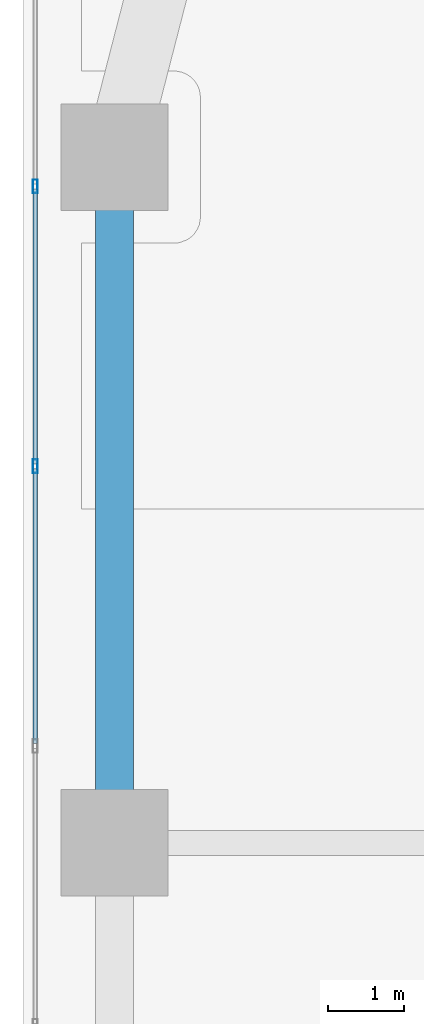
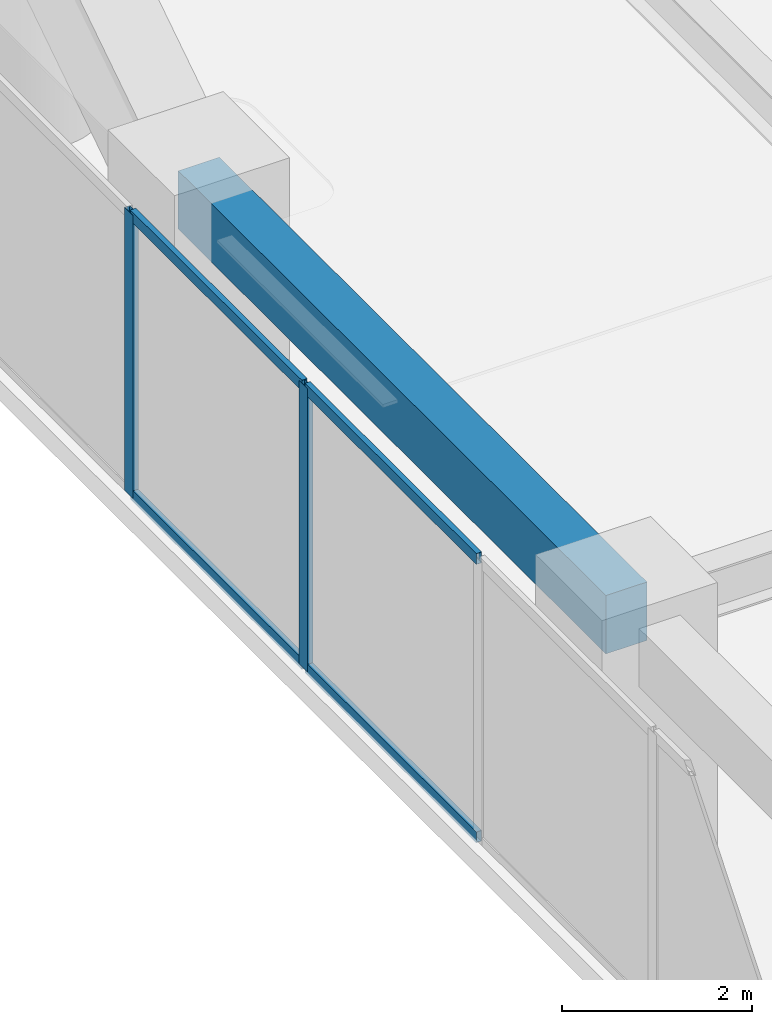
# One storey, part 9 of 24: 6 members, 1 beam, 1 element without a shape of its own.
"""IFC4 building model written with IfcOpenShell, lengths in metres."""

from ifc_helpers import new_model, si_unit, direction, frame, origin, origin_2d, place, context, subcontext, project, spatial, rectangle, hollow_rectangle, extrude, material, layer, layer_set, material_profile, profile_set, type_object, element, aggregate, save


model = new_model("IFC4")

# Units and contexts
model_context = context("Model", 3, precision=1e-05, world=origin(), true_north=direction((0.0, 1.0)))
body_context = subcontext(model_context, "Body", "Model", "MODEL_VIEW")
ifc_project = project(units=[si_unit("LENGTHUNIT", "METRE"), si_unit("AREAUNIT", "SQUARE_METRE"), si_unit("VOLUMEUNIT", "CUBIC_METRE"), si_unit("PLANEANGLEUNIT", "RADIAN"), si_unit("MASSUNIT", "GRAM", prefix="KILO")], contexts=[model_context])

# Site, building, storey
site_placement = place(None, origin())
site = spatial("IfcSite", under=ifc_project, at=site_placement, CompositionType="ELEMENT")
building_placement = place(site_placement, origin())
building = spatial("IfcBuilding", under=site, at=building_placement, Name="Kiyonajd Concourse Tower", CompositionType="ELEMENT")
storey_placement = place(building_placement, frame((0.0, 0.0, 117.0)))
storey = spatial("IfcBuildingStorey", under=building, at=storey_placement, Name="L30", CompositionType="ELEMENT", Elevation=117.0)

# Beam
ifc_material_1 = material(Name="Precast concrete C50/60", Category="concrete")
ifc_material_profile_1 = material_profile(ifc_material_1, rectangle(XDim=0.5, YDim=0.75, at=origin_2d()), Name="RCBM-500x750")
ifc_profile_set_1 = profile_set([ifc_material_profile_1], Name="Precast concrete C50/60")
beam_type = type_object("IfcBeamType", Name="BM-SPAN-RC", PredefinedType="SPANDREL", material=ifc_profile_set_1)
beam_placement = place(storey_placement, frame((19.199951171875, 53.39990234375, 3.264892578125), z_axis=(0.0, -1.0, 0.0), x_axis=(1.0, 0.0, 0.0)))
element("IfcBeam", 1, at=beam_placement, inside=storey, type_object=beam_type, Name="L30 Perimeter Bundled Tube Spandrel", PredefinedType="SPANDREL", context=body_context, shape_type="SweptSolid", body=[
    extrude(rectangle(XDim=0.5, YDim=0.75, at=origin_2d()), origin(), (0.0, 0.0, 1.0), 9.0),
])

# Curtain wall, members
ifc_material_2 = material(Name="Thermally Broken Anodised Aluminium", Category="aluminium")
ifc_layer = layer(ifc_material_2, 0.179931640625)
ifc_layer_set = layer_set([ifc_layer], Name="Thermally Broken Anodised Aluminium")
curtain_wall_type = type_object("IfcCurtainWallType", Name="CW-SYS-03", PredefinedType="NOTDEFINED", material=ifc_layer_set)
curtain_wall_placement = place(storey_placement, origin())
curtain_wall = element("IfcCurtainWall", 2, at=curtain_wall_placement, inside=storey, type_object=curtain_wall_type, Name="L30 Unitised Curtain Wall CW3", PredefinedType="NOTDEFINED")
ifc_material_profile_2 = material_profile(ifc_material_2, hollow_rectangle(XDim=0.06494140625, YDim=0.179931640625, WallThickness=0.00390625, at=origin_2d()), Name="MULL-65x180")
ifc_profile_set_2 = profile_set([ifc_material_profile_2], Name="Thermally Broken Anodised Aluminium")
member_type_1 = type_object("IfcMemberType", Name="MB-CW-MULL1", PredefinedType="MULLION", material=ifc_profile_set_2)
member_1_placement = place(storey_placement, frame((18.159912109375, 49.342529296875, 0.0), z_axis=(0.0, 0.0, 1.0), x_axis=(-1.0, 0.0, 0.0)))
member_1 = element("IfcMember", 3, at=member_1_placement, type_object=member_type_1, Name="CW3 mullion 5", PredefinedType="MULLION", context=body_context, shape_type="SweptSolid", body=[
    extrude(hollow_rectangle(XDim=0.06494140625, YDim=0.179931640625, WallThickness=0.00390625, at=origin_2d()), origin(), (0.0, 0.0, 1.0), 3.639892578125),
])
member_2_placement = place(storey_placement, frame((18.159912109375, 53.015869140625, 0.0), z_axis=(0.0, 0.0, 1.0), x_axis=(-1.0, 0.0, 0.0)))
member_2 = element("IfcMember", 4, at=member_2_placement, type_object=member_type_1, Name="CW3 mullion 6", PredefinedType="MULLION", context=body_context, shape_type="SweptSolid", body=[
    extrude(hollow_rectangle(XDim=0.06494140625, YDim=0.179931640625, WallThickness=0.00390625, at=origin_2d()), origin(), (0.0, 0.0, 1.0), 3.639892578125),
])
ifc_material_profile_3 = material_profile(ifc_material_2, hollow_rectangle(XDim=0.06494140625, YDim=0.139892578125, WallThickness=0.00390625, at=origin_2d()), Name="TRAN-65x140")
ifc_profile_set_3 = profile_set([ifc_material_profile_3], Name="Thermally Broken Anodised Aluminium")
member_type_2 = type_object("IfcMemberType", Name="MB-CW-TRAN1", PredefinedType="USERDEFINED", material=ifc_profile_set_3)
member_3_placement = place(storey_placement, frame((18.159912109375, 45.701904296875, 0.032470703125), z_axis=(0.0, 1.0, 0.0), x_axis=(-1.0, 0.0, 0.0)))
member_3 = element("IfcMember", 5, at=member_3_placement, type_object=member_type_2, Name="CW3 transom 4.1", ObjectType="TRANSOM", PredefinedType="USERDEFINED", context=body_context, shape_type="SweptSolid", body=[
    extrude(hollow_rectangle(XDim=0.06494140625, YDim=0.139892578125, WallThickness=0.00390625, at=origin_2d()), origin(), (0.0, 0.0, 1.0), 3.608154296875),
])
member_4_placement = place(storey_placement, frame((18.159912109375, 45.701904296875, 3.607421875), z_axis=(0.0, 1.0, 0.0), x_axis=(-1.0, 0.0, 0.0)))
member_4 = element("IfcMember", 6, at=member_4_placement, type_object=member_type_2, Name="CW3 transom 4.2", ObjectType="TRANSOM", PredefinedType="USERDEFINED", context=body_context, shape_type="SweptSolid", body=[
    extrude(hollow_rectangle(XDim=0.06494140625, YDim=0.139892578125, WallThickness=0.00390625, at=origin_2d()), origin(), (0.0, 0.0, 1.0), 3.608154296875),
])
member_5_placement = place(storey_placement, frame((18.159912109375, 49.375, 0.032470703125), z_axis=(0.0, 1.0, 0.0), x_axis=(-1.0, 0.0, 0.0)))
member_5 = element("IfcMember", 7, at=member_5_placement, type_object=member_type_2, Name="CW3 transom 5.1", ObjectType="TRANSOM", PredefinedType="USERDEFINED", context=body_context, shape_type="SweptSolid", body=[
    extrude(hollow_rectangle(XDim=0.06494140625, YDim=0.139892578125, WallThickness=0.00390625, at=origin_2d()), origin(), (0.0, 0.0, 1.0), 3.608154296875),
])
member_6_placement = place(storey_placement, frame((18.159912109375, 49.375, 3.607421875), z_axis=(0.0, 1.0, 0.0), x_axis=(-1.0, 0.0, 0.0)))
member_6 = element("IfcMember", 8, at=member_6_placement, type_object=member_type_2, Name="CW3 transom 5.2", ObjectType="TRANSOM", PredefinedType="USERDEFINED", context=body_context, shape_type="SweptSolid", body=[
    extrude(hollow_rectangle(XDim=0.06494140625, YDim=0.139892578125, WallThickness=0.00390625, at=origin_2d()), origin(), (0.0, 0.0, 1.0), 3.608154296875),
])
aggregate(curtain_wall, [member_1, member_2, member_3, member_4, member_5, member_6])

save(model, "model.ifc")
